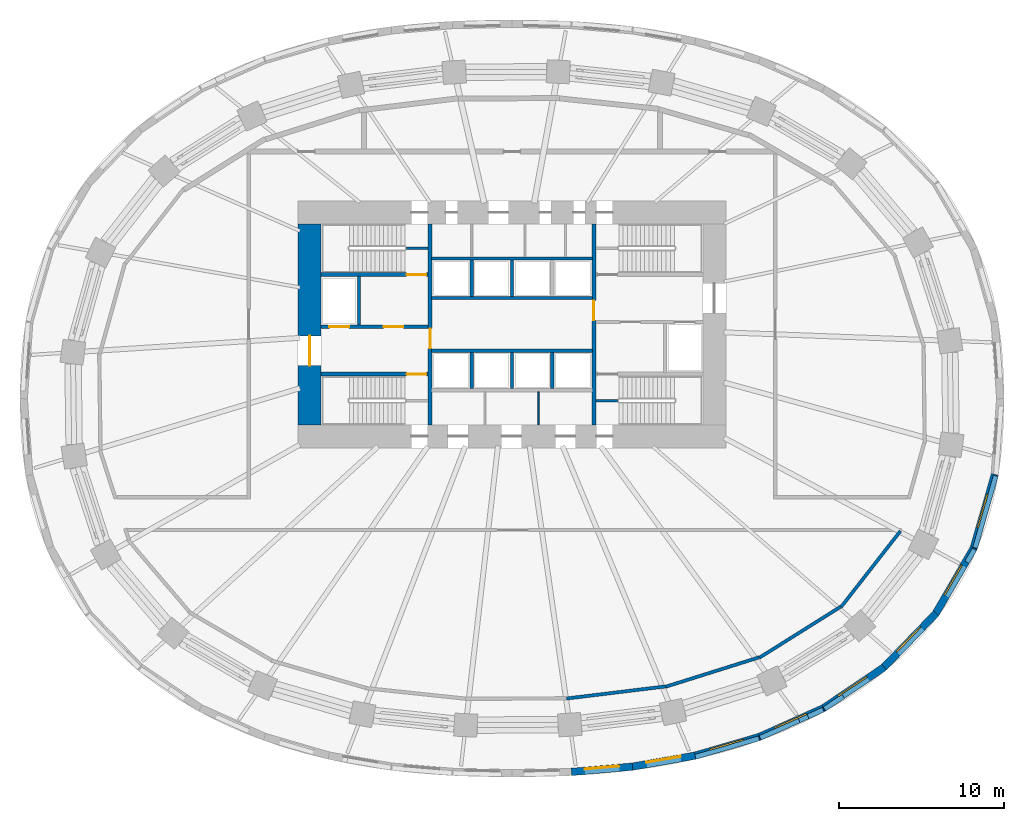
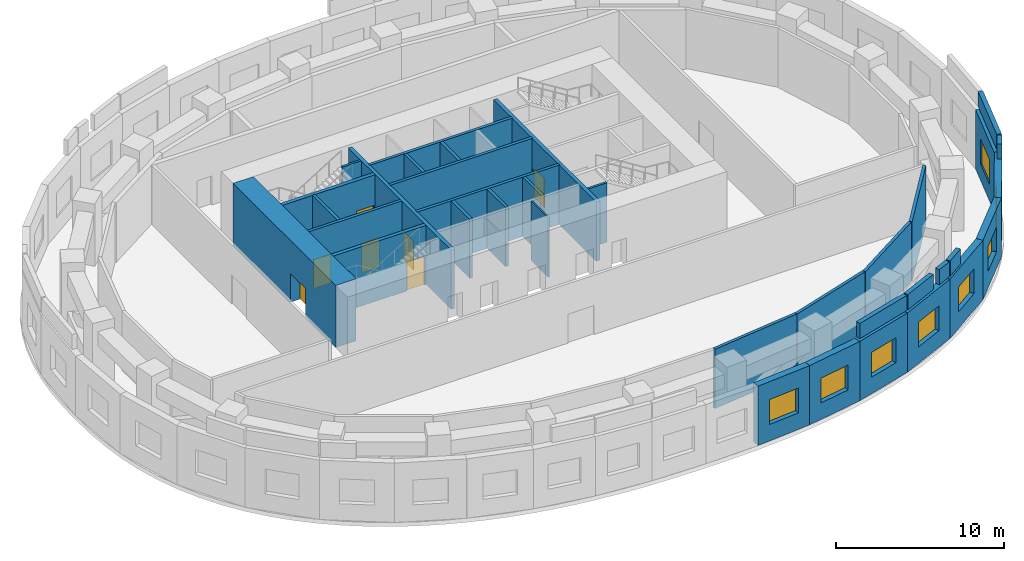
# One storey, part 5 of 9: 36 walls, 8 windows, 7 doors, 15 openings.
"""IFC4 building model written with IfcOpenShell, lengths in metres."""

import ifcopenshell
import ifcopenshell.guid

model = None  # the IFC model being written
_history = None  # IfcOwnerHistory: only IFC2X3 demands one
_inside = {}  # id of a spatial element -> (the spatial element, [elements in it])
_under = {}  # id of a project, library or spatial element -> (it, [spatial elements below it])
_declared = {}  # id of a project -> (the project, [libraries it declares])
_typed = {}  # id of a type object -> (the type object, [elements of that type])
_made_of = {}  # id of a material, layer set ... -> (it, [elements and type objects made of it])


def new_model(schema):
    """Start an empty IFC model of exactly this schema.

    Asked for "IFC4X3", IfcOpenShell would pick the latest addendum, in which some entities
    have other attributes; the version numbers below select the first issue.
    IFC2X3 requires an IfcOwnerHistory on every rooted entity: one is made here for all.
    """
    global model, _history
    if schema == "IFC4X3":
        model = ifcopenshell.file(schema_version=(4, 3, 0, 0))
    else:
        model = ifcopenshell.file(schema=schema)
    _inside.clear()
    _under.clear()
    _declared.clear()
    _typed.clear()
    _made_of.clear()
    _history = None
    if model.schema == "IFC2X3":
        org = make("IfcOrganization", Name="unknown")
        user = make(
            "IfcPersonAndOrganization",
            ThePerson=make("IfcPerson", FamilyName="unknown"),
            TheOrganization=org,
        )
        app = make(
            "IfcApplication",
            ApplicationDeveloper=org,
            Version="unknown",
            ApplicationFullName="unknown",
            ApplicationIdentifier="unknown",
        )
        _history = make(
            "IfcOwnerHistory",
            OwningUser=user,
            OwningApplication=app,
            ChangeAction="ADDED",
            CreationDate=0,
        )
    return model


def make(cls, **values):
    """One entity of the class cls with the attributes given. An attribute that is None is left unset."""
    return model.create_entity(
        cls, **{name: value for name, value in values.items() if value is not None}
    )


def rooted(cls, **values):
    """An entity with a GlobalId (a new one), such as an element, a storey or a relation."""
    return make(cls, GlobalId=ifcopenshell.guid.new(), OwnerHistory=_history, **values)


def si_unit(unit_type, name, prefix=None):
    """IfcSIUnit, for example si_unit("LENGTHUNIT", "METRE", prefix="MILLI")."""
    return make("IfcSIUnit", UnitType=unit_type, Prefix=prefix, Name=name)


def assignment(units):
    """IfcUnitAssignment: the units of a project."""
    return None if units is None else make("IfcUnitAssignment", Units=units)


def point(xyz):
    """IfcCartesianPoint."""
    return None if xyz is None else make("IfcCartesianPoint", Coordinates=xyz)


def direction(xyz):
    """IfcDirection."""
    return None if xyz is None else make("IfcDirection", DirectionRatios=xyz)


def frame(location, z_axis=None, x_axis=None):
    """IfcAxis2Placement3D, a coordinate frame: its origin and axes. An axis left out is left unset."""
    return make(
        "IfcAxis2Placement3D",
        Location=point(location),
        Axis=direction(z_axis),
        RefDirection=direction(x_axis),
    )


def frame_2d(location, x_axis=None):
    """IfcAxis2Placement2D, a coordinate frame in the plane: its origin and x axis."""
    return make(
        "IfcAxis2Placement2D", Location=point(location), RefDirection=direction(x_axis)
    )


def origin():
    """The frame at (0, 0, 0) with its axes left unset."""
    return frame((0.0, 0.0, 0.0))


def place(relative_to, where):
    """IfcLocalPlacement: puts the frame where relative to a parent placement (None: the world)."""
    return make(
        "IfcLocalPlacement", PlacementRelTo=relative_to, RelativePlacement=where
    )


def context(
    kind, dimensions, precision=None, world=None, true_north=None, identifier=None
):
    """IfcGeometricRepresentationContext, for example the 3D "Model" context."""
    return make(
        "IfcGeometricRepresentationContext",
        ContextIdentifier=identifier,
        ContextType=kind,
        CoordinateSpaceDimension=dimensions,
        Precision=precision,
        WorldCoordinateSystem=world,
        TrueNorth=true_north,
    )


def subcontext(parent, identifier, kind, view, scale=None):
    """IfcGeometricRepresentationSubContext, for example "Body" below "Model"."""
    return make(
        "IfcGeometricRepresentationSubContext",
        ContextIdentifier=identifier,
        ContextType=kind,
        ParentContext=parent,
        TargetScale=scale,
        TargetView=view,
    )


def project(units=None, contexts=None):
    """IfcProject with its units and contexts."""
    return rooted(
        "IfcProject",
        Name="project",
        RepresentationContexts=contexts,
        UnitsInContext=assignment(units),
    )


def spatial(cls, under=None, at=None, **own):
    """A site, building, storey or space (cls), placed at a placement, below another one or the project."""
    s = rooted(cls, ObjectPlacement=at, **own)
    if under is not None:
        _under.setdefault(under.id(), (under, []))[1].append(s)
    return s


def profile(cls, at=None, kind="AREA", **sizes):
    """A parametric profile (cls). Its sizes go by their IFC names, for example OverallWidth=200.0."""
    return make(cls, ProfileType=kind, Position=at, **sizes)


def rectangle(**sizes):
    """IfcRectangleProfileDef."""
    return profile("IfcRectangleProfileDef", **sizes)


def extrude(swept, where, along, depth):
    """IfcExtrudedAreaSolid: the profile swept, set in the frame where, extruded along a direction by depth."""
    return make(
        "IfcExtrudedAreaSolid",
        SweptArea=swept,
        Position=where,
        ExtrudedDirection=direction(along),
        Depth=depth,
    )


def shape(context_of_items, identifier, shape_type, items):
    """IfcShapeRepresentation: the items that make up one representation, for example the "Body"."""
    return make(
        "IfcShapeRepresentation",
        ContextOfItems=context_of_items,
        RepresentationIdentifier=identifier,
        RepresentationType=shape_type,
        Items=items,
    )


def material(Name=None, Category=None):
    """IfcMaterial."""
    return make("IfcMaterial", Name=Name, Category=Category)


def layer(
    of_material, thickness, ventilated=None, Name=None, Category=None, Priority=None
):
    """IfcMaterialLayer: one layer of a wall or slab, of a material (None: an air gap)."""
    return make(
        "IfcMaterialLayer",
        Material=of_material,
        LayerThickness=thickness,
        IsVentilated=ventilated,
        Name=Name,
        Category=Category,
        Priority=Priority,
    )


def layer_set(layers, Name=None):
    """IfcMaterialLayerSet."""
    return make("IfcMaterialLayerSet", MaterialLayers=layers, LayerSetName=Name)


def made_of(thing, what):
    """Note that an element or type object is made of a material, layer set ...; save() writes the relation."""
    if what is not None:
        _made_of.setdefault(what.id(), (what, []))[1].append(thing)
    return thing


def type_object(cls, material=None, **own):
    """A type object (cls), such as IfcWallType, which elements share."""
    return made_of(rooted(cls, **own), material)


def element(
    cls,
    number,
    at=None,
    inside=None,
    cuts=None,
    type_object=None,
    material=None,
    context=None,
    identifier="Body",
    shape_type=None,
    held_by="IfcProductDefinitionShape",
    body=None,
    shapes=None,
    **own,
):
    """One element of the class cls, such as IfcWall. Its Tag is "e" and its number.

    at: its placement. inside: the storey or other place that contains it. cuts: it is an
    opening in that element (IfcRelVoidsElement). A single representation is given by context,
    identifier, shape_type and body (its items); several are given by shapes. held_by: the class
    of the entity that holds the representations. save() writes the other relations.
    """
    e = rooted(cls, Tag="e%d" % number, ObjectPlacement=at, **own)
    if body is not None:
        shapes = [shape(context, identifier, shape_type, body)]
    if shapes is not None:
        e.Representation = make(held_by, Representations=shapes)
    if inside is not None:
        _inside.setdefault(inside.id(), (inside, []))[1].append(e)
    if cuts is not None:
        rooted(
            "IfcRelVoidsElement", RelatingBuildingElement=cuts, RelatedOpeningElement=e
        )
    if type_object is not None:
        _typed.setdefault(type_object.id(), (type_object, []))[1].append(e)
    return made_of(e, material)


def fill(opening, filler):
    """IfcRelFillsElement: the door or window that sits in an opening."""
    return rooted(
        "IfcRelFillsElement",
        RelatingOpeningElement=opening,
        RelatedBuildingElement=filler,
    )


def aggregate(whole, parts):
    """IfcRelAggregates: a whole, such as a stair, and the parts it consists of."""
    return rooted("IfcRelAggregates", RelatingObject=whole, RelatedObjects=parts)


def save(model, path):
    """Write the relations noted so far, then the file.

    IfcRelAggregates (storeys below a building ...), IfcRelContainedInSpatialStructure (elements
    in a storey), IfcRelDefinesByType, IfcRelAssociatesMaterial and IfcRelDeclares: one each for
    every whole, place, type object, material and project.
    """
    for whole, parts in _under.values():
        aggregate(whole, parts)
    for where, things in _inside.values():
        rooted(
            "IfcRelContainedInSpatialStructure",
            RelatedElements=things,
            RelatingStructure=where,
        )
    for kind, things in _typed.values():
        rooted("IfcRelDefinesByType", RelatedObjects=things, RelatingType=kind)
    for what, things in _made_of.values():
        rooted("IfcRelAssociatesMaterial", RelatedObjects=things, RelatingMaterial=what)
    for by, libraries in _declared.values():
        rooted("IfcRelDeclares", RelatingContext=by, RelatedDefinitions=libraries)
    model.write(path)


model = new_model("IFC4")

# Units and contexts
model_context = context("Model", 3, precision=1e-05, world=origin(), true_north=direction((0.0, 1.0)))
body_context = subcontext(model_context, "Body", "Model", "MODEL_VIEW")
ifc_project = project(units=[si_unit("LENGTHUNIT", "METRE"), si_unit("AREAUNIT", "SQUARE_METRE"), si_unit("VOLUMEUNIT", "CUBIC_METRE"), si_unit("PLANEANGLEUNIT", "RADIAN"), si_unit("MASSUNIT", "GRAM", prefix="KILO")], contexts=[model_context])

# Site, building, storey
site_placement = place(None, origin())
site = spatial("IfcSite", under=ifc_project, at=site_placement, CompositionType="ELEMENT")
building_placement = place(site_placement, origin())
building = spatial("IfcBuilding", under=site, at=building_placement, Name="Rubra Terraces Tower", CompositionType="ELEMENT")
storey_placement = place(building_placement, frame((0.0, 0.0, 33.0)))
storey = spatial("IfcBuildingStorey", under=building, at=storey_placement, Name="L05", CompositionType="ELEMENT", Elevation=33.0)

# Wall, opening, window
ifc_material_1 = material(Name="Brick masonry red-brown", Category="masonry")
ifc_layer_1 = layer(ifc_material_1, 0.449951171875)
ifc_layer_set_1 = layer_set([ifc_layer_1], Name="Brick masonry red-brown")
wall_type_1 = type_object("IfcWallType", Name="Brick facade wall 450", PredefinedType="SOLIDWALL", material=ifc_layer_set_1)
wall_1_placement = place(storey_placement, frame((3.610595703125, -22.69775390625, 0.0), z_axis=(0.0, 0.0, 1.0), x_axis=(0.996259982326, 0.086406293838, 0.0)))
wall_1 = element("IfcWall", 1, at=wall_1_placement, inside=storey, type_object=wall_type_1, Name="Facade wall L05 bay 32", PredefinedType="SOLIDWALL", context=body_context, shape_type="SweptSolid", body=[
    extrude(rectangle(XDim=3.726806640625, YDim=0.449951171875, at=frame_2d((1.86328125, 0.0))), origin(), (0.0, 0.0, 1.0), 4.300048828125),
])
opening_1_placement = place(wall_1_placement, frame((0.8134765625, 0.0, 1.199951171875)))
opening_1 = element("IfcOpeningElement", 2, at=opening_1_placement, cuts=wall_1, Name="Opening W4", PredefinedType="OPENING", context=body_context, shape_type="SweptSolid", body=[
    extrude(rectangle(XDim=2.10009765625, YDim=1.800048828125, at=frame_2d((1.050048828125, 0.89990234375))), frame((0.0, 0.23486328125, 0.0), z_axis=(0.0, -1.0, 0.0), x_axis=(1.0, 0.0, 0.0)), (0.0, 0.0, 1.0), 0.469970703125),
])
ifc_material_2 = material(Name="Clear glass in aluminium frame", Category="aluminium")
window_type = type_object("IfcWindowType", Name="Louvred plant window 2100 x 1800", PartitioningType="SINGLE_PANEL", PredefinedType="WINDOW", material=ifc_material_2)
window_1_placement = place(opening_1_placement, origin())
window_1 = element("IfcWindow", 3, at=window_1_placement, inside=storey, type_object=window_type, Name="Window L05 bay 32", OverallHeight=1.800048828125, OverallWidth=2.10009765625, PartitioningType="SINGLE_PANEL", PredefinedType="WINDOW", context=body_context, shape_type="SweptSolid", body=[
    extrude(rectangle(XDim=2.10009765625, YDim=1.800048828125, at=frame_2d((1.050048828125, 0.89990234375))), frame((0.0, 0.135009765625, 0.0), z_axis=(0.0, -1.0, 0.0), x_axis=(1.0, 0.0, 0.0)), (0.0, 0.0, 1.0), 0.06005859375),
])
fill(opening_1, window_1)

wall_2_placement = place(storey_placement, frame((7.30419921875, -22.37841796875, 0.0), z_axis=(0.0, 0.0, 1.0), x_axis=(0.984947461591, 0.172853978566, 0.0)))
wall_2 = element("IfcWall", 4, at=wall_2_placement, inside=storey, type_object=wall_type_1, Name="Facade wall L05 bay 33", PredefinedType="SOLIDWALL", context=body_context, shape_type="SweptSolid", body=[
    extrude(rectangle(XDim=3.888427734375, YDim=0.449951171875, at=frame_2d((1.9443359375, 0.0))), origin(), (0.0, 0.0, 1.0), 4.300048828125),
])
opening_2_placement = place(wall_2_placement, frame((0.894287109375, 0.0, 1.199951171875)))
opening_2 = element("IfcOpeningElement", 5, at=opening_2_placement, cuts=wall_2, Name="Opening W4", PredefinedType="OPENING", context=body_context, shape_type="SweptSolid", body=[
    extrude(rectangle(XDim=2.10009765625, YDim=1.800048828125, at=frame_2d((1.050048828125, 0.89990234375))), frame((0.0, 0.23486328125, 0.0), z_axis=(0.0, -1.0, 0.0), x_axis=(1.0, 0.0, 0.0)), (0.0, 0.0, 1.0), 0.469970703125),
])
window_2_placement = place(opening_2_placement, origin())
window_2 = element("IfcWindow", 6, at=window_2_placement, inside=storey, type_object=window_type, Name="Window L05 bay 33", OverallHeight=1.800048828125, OverallWidth=2.10009765625, PartitioningType="SINGLE_PANEL", PredefinedType="WINDOW", context=body_context, shape_type="SweptSolid", body=[
    extrude(rectangle(XDim=2.10009765625, YDim=1.800048828125, at=frame_2d((1.050048828125, 0.89990234375))), frame((0.0, 0.135009765625, 0.0), z_axis=(0.0, -1.0, 0.0), x_axis=(1.0, 0.0, 0.0)), (0.0, 0.0, 1.0), 0.06005859375),
])
fill(opening_2, window_2)

wall_3_placement = place(storey_placement, frame((11.110107421875, -21.7119140625, 0.0), z_axis=(0.0, 0.0, 1.0), x_axis=(0.960186274122, 0.279360553743, 0.0)))
wall_3 = element("IfcWall", 7, at=wall_3_placement, inside=storey, type_object=wall_type_1, Name="Facade wall L05 bay 34", PredefinedType="SOLIDWALL", context=body_context, shape_type="SweptSolid", body=[
    extrude(rectangle(XDim=4.0908203125, YDim=0.449951171875, at=frame_2d((2.04541015625, 0.0))), origin(), (0.0, 0.0, 1.0), 4.300048828125),
])
opening_3_placement = place(wall_3_placement, frame((0.99560546875, 0.0, 1.199951171875)))
opening_3 = element("IfcOpeningElement", 8, at=opening_3_placement, cuts=wall_3, Name="Opening W4", PredefinedType="OPENING", context=body_context, shape_type="SweptSolid", body=[
    extrude(rectangle(XDim=2.10009765625, YDim=1.800048828125, at=frame_2d((1.050048828125, 0.89990234375))), frame((0.0, 0.23486328125, 0.0), z_axis=(0.0, -1.0, 0.0), x_axis=(1.0, 0.0, 0.0)), (0.0, 0.0, 1.0), 0.469970703125),
])
window_3_placement = place(opening_3_placement, origin())
window_3 = element("IfcWindow", 9, at=window_3_placement, inside=storey, type_object=window_type, Name="Window L05 bay 34", OverallHeight=1.800048828125, OverallWidth=2.10009765625, PartitioningType="SINGLE_PANEL", PredefinedType="WINDOW", context=body_context, shape_type="SweptSolid", body=[
    extrude(rectangle(XDim=2.10009765625, YDim=1.800048828125, at=frame_2d((1.050048828125, 0.89990234375))), frame((0.0, 0.135009765625, 0.0), z_axis=(0.0, -1.0, 0.0), x_axis=(1.0, 0.0, 0.0)), (0.0, 0.0, 1.0), 0.06005859375),
])
fill(opening_3, window_3)

wall_4_placement = place(storey_placement, frame((15.009033203125, -20.57958984375, 0.0), z_axis=(0.0, 0.0, 1.0), x_axis=(0.912571415594, 0.408917365052, 0.0)))
wall_4 = element("IfcWall", 10, at=wall_4_placement, inside=storey, type_object=wall_type_1, Name="Facade wall L05 bay 35", PredefinedType="SOLIDWALL", context=body_context, shape_type="SweptSolid", body=[
    extrude(rectangle(XDim=4.301025390625, YDim=0.449951171875, at=frame_2d((2.150390625, 0.0))), origin(), (0.0, 0.0, 1.0), 4.300048828125),
])
opening_4_placement = place(wall_4_placement, frame((1.1005859375, 0.0, 1.199951171875)))
opening_4 = element("IfcOpeningElement", 11, at=opening_4_placement, cuts=wall_4, Name="Opening W4", PredefinedType="OPENING", context=body_context, shape_type="SweptSolid", body=[
    extrude(rectangle(XDim=2.10009765625, YDim=1.800048828125, at=frame_2d((1.050048828125, 0.89990234375))), frame((0.0, 0.23486328125, 0.0), z_axis=(0.0, -1.0, 0.0), x_axis=(1.0, 0.0, 0.0)), (0.0, 0.0, 1.0), 0.469970703125),
])
window_4_placement = place(opening_4_placement, origin())
window_4 = element("IfcWindow", 12, at=window_4_placement, inside=storey, type_object=window_type, Name="Window L05 bay 35", OverallHeight=1.800048828125, OverallWidth=2.10009765625, PartitioningType="SINGLE_PANEL", PredefinedType="WINDOW", context=body_context, shape_type="SweptSolid", body=[
    extrude(rectangle(XDim=2.10009765625, YDim=1.800048828125, at=frame_2d((1.050048828125, 0.89990234375))), frame((0.0, 0.135009765625, 0.0), z_axis=(0.0, -1.0, 0.0), x_axis=(1.0, 0.0, 0.0)), (0.0, 0.0, 1.0), 0.06005859375),
])
fill(opening_4, window_4)

wall_5_placement = place(storey_placement, frame((18.900146484375, -18.839599609375, 0.0), z_axis=(0.0, 0.0, 1.0), x_axis=(0.828976924359, 0.559282807604, 0.0)))
wall_5 = element("IfcWall", 13, at=wall_5_placement, inside=storey, type_object=wall_type_1, Name="Facade wall L05 bay 36", PredefinedType="SOLIDWALL", context=body_context, shape_type="SweptSolid", body=[
    extrude(rectangle(XDim=4.479248046875, YDim=0.449951171875, at=frame_2d((2.23974609375, 0.0))), origin(), (0.0, 0.0, 1.0), 4.300048828125),
])
opening_5_placement = place(wall_5_placement, frame((1.189453125, 0.0, 1.199951171875)))
opening_5 = element("IfcOpeningElement", 14, at=opening_5_placement, cuts=wall_5, Name="Opening W4", PredefinedType="OPENING", context=body_context, shape_type="SweptSolid", body=[
    extrude(rectangle(XDim=2.10009765625, YDim=1.800048828125, at=frame_2d((1.050048828125, 0.89990234375))), frame((0.0, 0.23486328125, 0.0), z_axis=(0.0, -1.0, 0.0), x_axis=(1.0, 0.0, 0.0)), (0.0, 0.0, 1.0), 0.469970703125),
])
window_5_placement = place(opening_5_placement, origin())
window_5 = element("IfcWindow", 15, at=window_5_placement, inside=storey, type_object=window_type, Name="Window L05 bay 36", OverallHeight=1.800048828125, OverallWidth=2.10009765625, PartitioningType="SINGLE_PANEL", PredefinedType="WINDOW", context=body_context, shape_type="SweptSolid", body=[
    extrude(rectangle(XDim=2.10009765625, YDim=1.800048828125, at=frame_2d((1.050048828125, 0.89990234375))), frame((0.0, 0.135009765625, 0.0), z_axis=(0.0, -1.0, 0.0), x_axis=(1.0, 0.0, 0.0)), (0.0, 0.0, 1.0), 0.06005859375),
])
fill(opening_5, window_5)

wall_6_placement = place(storey_placement, frame((22.576904296875, -16.36474609375, 0.0), z_axis=(0.0, 0.0, 1.0), x_axis=(0.694191591241, 0.719790271294, 0.0)))
wall_6 = element("IfcWall", 16, at=wall_6_placement, inside=storey, type_object=wall_type_1, Name="Facade wall L05 bay 37", PredefinedType="SOLIDWALL", context=body_context, shape_type="SweptSolid", body=[
    extrude(rectangle(XDim=4.596923828125, YDim=0.449951171875, at=frame_2d((2.29833984375, 0.0))), origin(), (0.0, 0.0, 1.0), 4.300048828125),
])
opening_6_placement = place(wall_6_placement, frame((1.24853515625, 0.0, 1.199951171875)))
opening_6 = element("IfcOpeningElement", 17, at=opening_6_placement, cuts=wall_6, Name="Opening W4", PredefinedType="OPENING", context=body_context, shape_type="SweptSolid", body=[
    extrude(rectangle(XDim=2.10009765625, YDim=1.800048828125, at=frame_2d((1.050048828125, 0.89990234375))), frame((0.0, 0.23486328125, 0.0), z_axis=(0.0, -1.0, 0.0), x_axis=(1.0, 0.0, 0.0)), (0.0, 0.0, 1.0), 0.469970703125),
])
window_6_placement = place(opening_6_placement, origin())
window_6 = element("IfcWindow", 18, at=window_6_placement, inside=storey, type_object=window_type, Name="Window L05 bay 37", OverallHeight=1.800048828125, OverallWidth=2.10009765625, PartitioningType="SINGLE_PANEL", PredefinedType="WINDOW", context=body_context, shape_type="SweptSolid", body=[
    extrude(rectangle(XDim=2.10009765625, YDim=1.800048828125, at=frame_2d((1.050048828125, 0.89990234375))), frame((0.0, 0.135009765625, 0.0), z_axis=(0.0, -1.0, 0.0), x_axis=(1.0, 0.0, 0.0)), (0.0, 0.0, 1.0), 0.06005859375),
])
fill(opening_6, window_6)

wall_7_placement = place(storey_placement, frame((25.7353515625, -13.09912109375, 0.0), z_axis=(0.0, 0.0, 1.0), x_axis=(0.502106426501, 0.864805837438, 0.0)))
wall_7 = element("IfcWall", 19, at=wall_7_placement, inside=storey, type_object=wall_type_1, Name="Facade wall L05 bay 38", PredefinedType="SOLIDWALL", context=body_context, shape_type="SweptSolid", body=[
    extrude(rectangle(XDim=4.65673828125, YDim=0.449951171875, at=frame_2d((2.328369140625, 0.0))), origin(), (0.0, 0.0, 1.0), 4.300048828125),
])
opening_7_placement = place(wall_7_placement, frame((1.2783203125, 0.0, 1.199951171875)))
opening_7 = element("IfcOpeningElement", 20, at=opening_7_placement, cuts=wall_7, Name="Opening W4", PredefinedType="OPENING", context=body_context, shape_type="SweptSolid", body=[
    extrude(rectangle(XDim=2.10009765625, YDim=1.800048828125, at=frame_2d((1.050048828125, 0.89990234375))), frame((0.0, 0.23486328125, 0.0), z_axis=(0.0, -1.0, 0.0), x_axis=(1.0, 0.0, 0.0)), (0.0, 0.0, 1.0), 0.469970703125),
])
window_7_placement = place(opening_7_placement, origin())
window_7 = element("IfcWindow", 21, at=window_7_placement, inside=storey, type_object=window_type, Name="Window L05 bay 38", OverallHeight=1.800048828125, OverallWidth=2.10009765625, PartitioningType="SINGLE_PANEL", PredefinedType="WINDOW", context=body_context, shape_type="SweptSolid", body=[
    extrude(rectangle(XDim=2.10009765625, YDim=1.800048828125, at=frame_2d((1.050048828125, 0.89990234375))), frame((0.0, 0.135009765625, 0.0), z_axis=(0.0, -1.0, 0.0), x_axis=(1.0, 0.0, 0.0)), (0.0, 0.0, 1.0), 0.06005859375),
])
fill(opening_7, window_7)

wall_8_placement = place(storey_placement, frame((28.0517578125, -9.122802734375, 0.0), z_axis=(0.0, 0.0, 1.0), x_axis=(0.27637239746, 0.961050621935, 0.0)))
wall_8 = element("IfcWall", 22, at=wall_8_placement, inside=storey, type_object=wall_type_1, Name="Facade wall L05 bay 39", PredefinedType="SOLIDWALL", context=body_context, shape_type="SweptSolid", body=[
    extrude(rectangle(XDim=4.685302734375, YDim=0.449951171875, at=frame_2d((2.3427734375, 0.0))), origin(), (0.0, 0.0, 1.0), 4.300048828125),
])
opening_8_placement = place(wall_8_placement, frame((1.292724609375, 0.0, 1.199951171875)))
opening_8 = element("IfcOpeningElement", 23, at=opening_8_placement, cuts=wall_8, Name="Opening W4", PredefinedType="OPENING", context=body_context, shape_type="SweptSolid", body=[
    extrude(rectangle(XDim=2.10009765625, YDim=1.800048828125, at=frame_2d((1.050048828125, 0.89990234375))), frame((0.0, 0.23486328125, 0.0), z_axis=(0.0, -1.0, 0.0), x_axis=(1.0, 0.0, 0.0)), (0.0, 0.0, 1.0), 0.469970703125),
])
window_8_placement = place(opening_8_placement, origin())
window_8 = element("IfcWindow", 24, at=window_8_placement, inside=storey, type_object=window_type, Name="Window L05 bay 39", OverallHeight=1.800048828125, OverallWidth=2.10009765625, PartitioningType="SINGLE_PANEL", PredefinedType="WINDOW", context=body_context, shape_type="SweptSolid", body=[
    extrude(rectangle(XDim=2.10009765625, YDim=1.800048828125, at=frame_2d((1.050048828125, 0.89990234375))), frame((0.0, 0.135009765625, 0.0), z_axis=(0.0, -1.0, 0.0), x_axis=(1.0, 0.0, 0.0)), (0.0, 0.0, 1.0), 0.06005859375),
])
fill(opening_8, window_8)

# Walls
ifc_layer_2 = layer(ifc_material_1, 0.300048828125)
ifc_layer_set_2 = layer_set([ifc_layer_2], Name="Brick masonry red-brown")
wall_type_2 = type_object("IfcWallType", Name="Brick parapet 300", PredefinedType="PARAPET", material=ifc_layer_set_2)
wall_9_placement = place(storey_placement, frame((11.142333984375, -21.78076171875, 4.5), z_axis=(0.0, 0.0, 1.0), x_axis=(0.960176970579, 0.279392528837, 0.0)))
element("IfcWall", 25, at=wall_9_placement, inside=storey, type_object=wall_type_2, Name="Parapet L05 bay 34", PredefinedType="PARAPET", context=body_context, shape_type="SweptSolid", body=[
    extrude(rectangle(XDim=4.0283203125, YDim=0.300048828125, at=frame_2d((2.01416015625, 0.0))), origin(), (0.0, 0.0, 1.0), 1.10009765625),
])
wall_10_placement = place(storey_placement, frame((15.0859375, -20.62744140625, 4.5), z_axis=(0.0, 0.0, 1.0), x_axis=(0.912551779841, 0.408961182889, 0.0)))
element("IfcWall", 26, at=wall_10_placement, inside=storey, type_object=wall_type_2, Name="Parapet L05 bay 35", PredefinedType="PARAPET", context=body_context, shape_type="SweptSolid", body=[
    extrude(rectangle(XDim=2.59033203125, YDim=0.300048828125, at=frame_2d((1.295166015625, 0.0))), origin(), (0.0, 0.0, 1.0), 1.10009765625),
])
wall_11_placement = place(storey_placement, frame((17.994140625, -19.32421875, 4.5), z_axis=(0.0, 0.0, 1.0), x_axis=(0.912568559093, 0.408923739779, 0.0)))
element("IfcWall", 27, at=wall_11_placement, inside=storey, type_object=wall_type_2, Name="Parapet L05 bay 35.2", PredefinedType="PARAPET", context=body_context, shape_type="SweptSolid", body=[
    extrude(rectangle(XDim=1.0078125, YDim=0.300048828125, at=frame_2d((0.50390625, 0.0))), origin(), (0.0, 0.0, 1.0), 1.10009765625),
])
wall_12_placement = place(storey_placement, frame((18.988525390625, -18.870361328125, 4.5), z_axis=(0.0, 0.0, 1.0), x_axis=(0.828947562887, 0.55932632513, 0.0)))
element("IfcWall", 28, at=wall_12_placement, inside=storey, type_object=wall_type_2, Name="Parapet L05 bay 36", PredefinedType="PARAPET", context=body_context, shape_type="SweptSolid", body=[
    extrude(rectangle(XDim=1.37353515625, YDim=0.300048828125, at=frame_2d((0.686767578125, 0.0))), origin(), (0.0, 0.0, 1.0), 1.10009765625),
])
wall_13_placement = place(storey_placement, frame((27.64599609375, -9.95751953125, 4.5), z_axis=(0.0, 0.0, 1.0), x_axis=(0.502058122992, 0.86483388066, 0.0)))
element("IfcWall", 29, at=wall_13_placement, inside=storey, type_object=wall_type_2, Name="Parapet L05 bay 38", PredefinedType="PARAPET", context=body_context, shape_type="SweptSolid", body=[
    extrude(rectangle(XDim=0.913330078125, YDim=0.300048828125, at=frame_2d((0.45654296875, 0.0))), origin(), (0.0, 0.0, 1.0), 1.10009765625),
])
wall_14_placement = place(storey_placement, frame((28.142333984375, -9.0791015625, 4.5), z_axis=(0.0, 0.0, 1.0), x_axis=(0.276383504123, 0.961047427887, 0.0)))
element("IfcWall", 30, at=wall_14_placement, inside=storey, type_object=wall_type_2, Name="Parapet L05 bay 39", PredefinedType="PARAPET", context=body_context, shape_type="SweptSolid", body=[
    extrude(rectangle(XDim=4.55712890625, YDim=0.300048828125, at=frame_2d((2.278564453125, 0.0))), origin(), (0.0, 0.0, 1.0), 1.10009765625),
])

# Wall, opening, door
ifc_material_3 = material(Name="Concrete C70", Category="concrete")
ifc_layer_3 = layer(ifc_material_3, 1.39990234375)
ifc_layer_set_3 = layer_set([ifc_layer_3], Name="Concrete C70")
wall_type_3 = type_object("IfcWallType", Name="CORE WALL 1400 C70", PredefinedType="SHEAR", material=ifc_layer_set_3)
wall_15_placement = place(storey_placement, frame((-12.300048828125, -1.60009765625, 0.0), z_axis=(0.0, 0.0, 1.0), x_axis=(0.0, 1.0, 0.0)))
wall_15 = element("IfcWall", 31, at=wall_15_placement, inside=storey, type_object=wall_type_3, Name="CORE WALL W L05", PredefinedType="SHEAR", context=body_context, shape_type="SweptSolid", body=[
    extrude(rectangle(XDim=12.2001953125, YDim=1.39990234375, at=frame_2d((6.10009765625, 0.0))), origin(), (0.0, 0.0, 1.0), 4.5),
])
opening_9_placement = place(wall_15_placement, frame((3.60009765625, 0.0, 0.0)))
opening_9 = element("IfcOpeningElement", 32, at=opening_9_placement, cuts=wall_15, Name="Opening L05.C01", PredefinedType="OPENING", context=body_context, shape_type="SweptSolid", body=[
    extrude(rectangle(XDim=1.800048828125, YDim=2.10009765625, at=frame_2d((0.89990234375, 1.050048828125))), frame((0.0, 0.7099609375, 0.0), z_axis=(0.0, -1.0, 0.0), x_axis=(1.0, 0.0, 0.0)), (0.0, 0.0, 1.0), 1.419921875),
])
ifc_material_4 = material(Name="Painted steel", Category="steel")
door_type_1 = type_object("IfcDoorType", Name="Fire door 1800x2100 double", OperationType="NOTDEFINED", PredefinedType="DOOR", material=ifc_material_4)
door_1_placement = place(opening_9_placement, origin())
door_1 = element("IfcDoor", 33, at=door_1_placement, inside=storey, type_object=door_type_1, Name="Core entrance door FF1", OperationType="DOUBLE_DOOR_SINGLE_SWING", OverallHeight=2.10009765625, OverallWidth=1.800048828125, PredefinedType="DOOR", context=body_context, shape_type="SweptSolid", body=[
    extrude(rectangle(XDim=1.800048828125, YDim=2.10009765625, at=frame_2d((0.89990234375, 1.050048828125))), frame((0.0, 0.02490234375, 0.0), z_axis=(0.0, -1.0, 0.0), x_axis=(1.0, 0.0, 0.0)), (0.0, 0.0, 1.0), 0.050048828125),
])
fill(opening_9, door_1)

# Wall, openings, doors
ifc_material_5 = material(Name="Concrete C30", Category="concrete")
ifc_layer_4 = layer(ifc_material_5, 0.199951171875)
ifc_layer_set_4 = layer_set([ifc_layer_4], Name="Concrete C30")
wall_type_4 = type_object("IfcWallType", Name="Core wall 200 concrete", PredefinedType="SOLIDWALL", material=ifc_layer_set_4)
wall_16_placement = place(storey_placement, frame((-11.60009765625, 4.35009765625, 0.0), z_axis=(0.0, 0.0, 1.0), x_axis=(1.0, 0.0, 0.0)))
wall_16 = element("IfcWall", 34, at=wall_16_placement, inside=storey, type_object=wall_type_4, Name="STAIR WALL L05", PredefinedType="SOLIDWALL", context=body_context, shape_type="SweptSolid", body=[
    extrude(rectangle(XDim=6.5, YDim=0.199951171875, at=frame_2d((3.25, 0.0))), origin(), (0.0, 0.0, 1.0), 4.300048828125),
])
opening_10_placement = place(wall_16_placement, frame((3.800048828125, 0.0, 0.0)))
opening_10 = element("IfcOpeningElement", 35, at=opening_10_placement, cuts=wall_16, Name="Opening L05.C05", PredefinedType="OPENING", context=body_context, shape_type="SweptSolid", body=[
    extrude(rectangle(XDim=1.199951171875, YDim=2.10009765625, at=frame_2d((0.60009765625, 1.050048828125))), frame((0.0, 0.10986328125, 0.0), z_axis=(0.0, -1.0, 0.0), x_axis=(1.0, 0.0, 0.0)), (0.0, 0.0, 1.0), 0.219970703125),
])
opening_11_placement = place(wall_16_placement, frame((0.5, 0.0, 0.0)))
opening_11 = element("IfcOpeningElement", 36, at=opening_11_placement, cuts=wall_16, Name="Opening L05.C11", PredefinedType="OPENING", context=body_context, shape_type="SweptSolid", body=[
    extrude(rectangle(XDim=1.199951171875, YDim=2.10009765625, at=frame_2d((0.60009765625, 1.050048828125))), frame((0.0, 0.10986328125, 0.0), z_axis=(0.0, -1.0, 0.0), x_axis=(1.0, 0.0, 0.0)), (0.0, 0.0, 1.0), 0.219970703125),
])
door_type_2 = type_object("IfcDoorType", Name="Fire door 1200x2100 single", OperationType="NOTDEFINED", PredefinedType="DOOR", material=ifc_material_4)
door_2_placement = place(opening_10_placement, origin())
door_2 = element("IfcDoor", 37, at=door_2_placement, inside=storey, type_object=door_type_2, Name="Stair vestibule door S2", OperationType="SINGLE_SWING_LEFT", OverallHeight=2.10009765625, OverallWidth=1.199951171875, PredefinedType="DOOR", context=body_context, shape_type="SweptSolid", body=[
    extrude(rectangle(XDim=1.199951171875, YDim=2.10009765625, at=frame_2d((0.60009765625, 1.050048828125))), frame((0.0, 0.02490234375, 0.0), z_axis=(0.0, -1.0, 0.0), x_axis=(1.0, 0.0, 0.0)), (0.0, 0.0, 1.0), 0.050048828125),
])
fill(opening_10, door_2)
ifc_material_6 = material(Name="Stainless steel", Category="steel")
door_type_3 = type_object("IfcDoorType", Name="Lift landing door 1200x2100", OperationType="NOTDEFINED", PredefinedType="DOOR", material=ifc_material_6)
door_3_placement = place(opening_11_placement, origin())
door_3 = element("IfcDoor", 38, at=door_3_placement, inside=storey, type_object=door_type_3, Name="Landing door FF1", OperationType="SLIDING_TO_RIGHT", OverallHeight=2.10009765625, OverallWidth=1.199951171875, PredefinedType="DOOR", context=body_context, shape_type="SweptSolid", body=[
    extrude(rectangle(XDim=1.199951171875, YDim=2.10009765625, at=frame_2d((0.60009765625, 1.050048828125))), frame((0.0, 0.02490234375, 0.0), z_axis=(0.0, -1.0, 0.0), x_axis=(1.0, 0.0, 0.0)), (0.0, 0.0, 1.0), 0.050048828125),
])
fill(opening_11, door_3)

# Walls
wall_17_placement = place(storey_placement, frame((-9.300048828125, 4.449951171875, 0.0), z_axis=(0.0, 0.0, 1.0), x_axis=(0.0, 1.0, 0.0)))
element("IfcWall", 39, at=wall_17_placement, inside=storey, type_object=wall_type_4, Name="STAIR WALL L05", PredefinedType="SOLIDWALL", context=body_context, shape_type="SweptSolid", body=[
    extrude(rectangle(XDim=3.0, YDim=0.199951171875, at=frame_2d((1.5, 0.0))), origin(), (0.0, 0.0, 1.0), 4.300048828125),
])
for number, where, z_axis, x_axis, name in (
    (40, (-4.89990234375, 2.89990234375, 0.0), (0.0, 0.0, 1.0), (1.0, 0.0, 0.0), "LIFT SHAFT WALL L05"),
    (41, (-4.89990234375, 6.10009765625, 0.0), (0.0, 0.0, 1.0), (1.0, 0.0, 0.0), "LIFT SHAFT WALL L05"),
    (42, (-4.89990234375, 8.5, 0.0), (0.0, 0.0, 1.0), (1.0, 0.0, 0.0), "LIFT SHAFT WALL L05"),
):
    element("IfcWall", number, at=place(storey_placement, frame(where, z_axis=z_axis, x_axis=x_axis)), inside=storey, type_object=wall_type_4, Name=name, PredefinedType="SOLIDWALL", context=body_context, shape_type="SweptSolid", body=[
        extrude(rectangle(XDim=9.7998046875, YDim=0.199951171875, at=frame_2d((4.89990234375, 0.0))), origin(), (0.0, 0.0, 1.0), 4.300048828125),
    ])
for number, where, z_axis, x_axis, name in (
    (43, (-2.449951171875, 0.60009765625, 0.0), (0.0, 0.0, 1.0), (0.0, 1.0, 0.0), "LIFT SHAFT WALL L05"),
    (44, (0.0, 0.60009765625, 0.0), (0.0, 0.0, 1.0), (0.0, 1.0, 0.0), "LIFT SHAFT WALL L05"),
    (45, (2.449951171875, 0.60009765625, 0.0), (0.0, 0.0, 1.0), (0.0, 1.0, 0.0), "LIFT SHAFT WALL L05"),
    (46, (-2.449951171875, 6.199951171875, 0.0), (0.0, 0.0, 1.0), (0.0, 1.0, 0.0), "LIFT SHAFT WALL L05"),
    (47, (0.0, 6.199951171875, 0.0), (0.0, 0.0, 1.0), (0.0, 1.0, 0.0), "LIFT SHAFT WALL L05"),
):
    element("IfcWall", number, at=place(storey_placement, frame(where, z_axis=z_axis, x_axis=x_axis)), inside=storey, type_object=wall_type_4, Name=name, PredefinedType="SOLIDWALL", context=body_context, shape_type="SweptSolid", body=[
        extrude(rectangle(XDim=2.199951171875, YDim=0.199951171875, at=frame_2d((1.10009765625, 0.0))), origin(), (0.0, 0.0, 1.0), 4.300048828125),
    ])
ifc_material_7 = material(Name="Blockwork", Category="masonry")
ifc_layer_5 = layer(ifc_material_7, 0.199951171875)
ifc_layer_set_5 = layer_set([ifc_layer_5], Name="Blockwork")
wall_type_5 = type_object("IfcWallType", Name="Corridor partition 200 blockwork", PredefinedType="PARTITIONING", material=ifc_layer_set_5)
wall_18_placement = place(storey_placement, frame((23.60791015625, -8.052978515625, 0.0), z_axis=(0.0, 0.0, 1.0), x_axis=(-0.615662559853, -0.78800990628, 0.0)))
element("IfcWall", 48, at=wall_18_placement, inside=storey, type_object=wall_type_5, Name="Partition wall", PredefinedType="PARTITIONING", context=body_context, shape_type="SweptSolid", body=[
    extrude(rectangle(XDim=5.88427734375, YDim=0.199951171875, at=frame_2d((2.942138671875, 0.0))), origin(), (0.0, 0.0, 1.0), 4.300048828125),
])
wall_19_placement = place(storey_placement, frame((19.9619140625, -12.6640625, 0.0), z_axis=(0.0, 0.0, 1.0), x_axis=(-0.847109868331, -0.531417793243, 0.0)))
element("IfcWall", 49, at=wall_19_placement, inside=storey, type_object=wall_type_5, Name="Partition wall", PredefinedType="PARTITIONING", context=body_context, shape_type="SweptSolid", body=[
    extrude(rectangle(XDim=5.8125, YDim=0.199951171875, at=frame_2d((2.90625, 0.0))), origin(), (0.0, 0.0, 1.0), 4.300048828125),
])
wall_20_placement = place(storey_placement, frame((15.028076171875, -15.72998046875, 0.0), z_axis=(0.0, 0.0, 1.0), x_axis=(-0.953899230101, -0.300127071108, 0.0)))
element("IfcWall", 50, at=wall_20_placement, inside=storey, type_object=wall_type_5, Name="Partition wall", PredefinedType="PARTITIONING", context=body_context, shape_type="SweptSolid", body=[
    extrude(rectangle(XDim=5.957763671875, YDim=0.199951171875, at=frame_2d((2.97900390625, 0.0))), origin(), (0.0, 0.0, 1.0), 4.300048828125),
])
wall_21_placement = place(storey_placement, frame((9.341064453125, -17.5, 0.0), z_axis=(0.0, 0.0, 1.0), x_axis=(-0.992636454539, -0.121131618992, 0.0)))
element("IfcWall", 51, at=wall_21_placement, inside=storey, type_object=wall_type_5, Name="Partition wall", PredefinedType="PARTITIONING", context=body_context, shape_type="SweptSolid", body=[
    extrude(rectangle(XDim=6.07666015625, YDim=0.199951171875, at=frame_2d((3.038330078125, 0.0))), origin(), (0.0, 0.0, 1.0), 4.300048828125),
])
ifc_layer_6 = layer(ifc_material_7, 0.10009765625)
ifc_layer_set_6 = layer_set([ifc_layer_6], Name="Blockwork")
wall_type_6 = type_object("IfcWallType", Name="Service partition 100 blockwork", PredefinedType="PARTITIONING", material=ifc_layer_set_6)
wall_22_placement = place(storey_placement, frame((1.60009765625, -1.60009765625, 0.0), z_axis=(0.0, 0.0, 1.0), x_axis=(0.0, 1.0, 0.0)))
element("IfcWall", 52, at=wall_22_placement, inside=storey, type_object=wall_type_6, Name="SERVICE ROOM PARTITION L05", PredefinedType="PARTITIONING", context=body_context, shape_type="SweptSolid", body=[
    extrude(rectangle(XDim=2.0, YDim=0.10009765625, at=frame_2d((1.0, 0.0))), origin(), (0.0, 0.0, 1.0), 4.300048828125),
])

# Wall, opening, door
ifc_material_8 = material(Name="Concrete C40", Category="concrete")
ifc_layer_7 = layer(ifc_material_8, 0.25)
ifc_layer_set_7 = layer_set([ifc_layer_7], Name="Concrete C40")
wall_type_7 = type_object("IfcWallType", Name="Stair enclosure wall 250 concrete", PredefinedType="SOLIDWALL", material=ifc_layer_set_7)
wall_23_placement = place(storey_placement, frame((-11.60009765625, 1.47509765625, 0.0), z_axis=(0.0, 0.0, 1.0), x_axis=(1.0, 0.0, 0.0)))
wall_23 = element("IfcWall", 53, at=wall_23_placement, inside=storey, type_object=wall_type_7, Name="STAIR WALL L05", PredefinedType="SOLIDWALL", context=body_context, shape_type="SweptSolid", body=[
    extrude(rectangle(XDim=6.5, YDim=0.25, at=frame_2d((3.25, 0.0))), origin(), (0.0, 0.0, 1.0), 4.300048828125),
])
opening_12_placement = place(wall_23_placement, frame((5.199951171875, 0.0, 0.0)))
opening_12 = element("IfcOpeningElement", 54, at=opening_12_placement, cuts=wall_23, Name="Opening L05.C07", PredefinedType="OPENING", context=body_context, shape_type="SweptSolid", body=[
    extrude(rectangle(XDim=1.199951171875, YDim=2.10009765625, at=frame_2d((0.60009765625, 1.050048828125))), frame((0.0, 0.135009765625, 0.0), z_axis=(0.0, -1.0, 0.0), x_axis=(1.0, 0.0, 0.0)), (0.0, 0.0, 1.0), 0.27001953125),
])
door_4_placement = place(opening_12_placement, origin())
door_4 = element("IfcDoor", 55, at=door_4_placement, inside=storey, type_object=door_type_2, Name="Stair door S1", OperationType="SINGLE_SWING_LEFT", OverallHeight=2.10009765625, OverallWidth=1.199951171875, PredefinedType="DOOR", context=body_context, shape_type="SweptSolid", body=[
    extrude(rectangle(XDim=1.199951171875, YDim=2.10009765625, at=frame_2d((0.60009765625, 1.050048828125))), frame((0.0, 0.02490234375, 0.0), z_axis=(0.0, -1.0, 0.0), x_axis=(1.0, 0.0, 0.0)), (0.0, 0.0, 1.0), 0.050048828125),
])
fill(opening_12, door_4)

wall_24_placement = place(storey_placement, frame((-11.60009765625, 7.52490234375, 0.0), z_axis=(0.0, 0.0, 1.0), x_axis=(1.0, 0.0, 0.0)))
wall_24 = element("IfcWall", 56, at=wall_24_placement, inside=storey, type_object=wall_type_7, Name="STAIR WALL L05", PredefinedType="SOLIDWALL", context=body_context, shape_type="SweptSolid", body=[
    extrude(rectangle(XDim=6.5, YDim=0.25, at=frame_2d((3.25, 0.0))), origin(), (0.0, 0.0, 1.0), 4.300048828125),
])
opening_13_placement = place(wall_24_placement, frame((5.199951171875, 0.0, 0.0)))
opening_13 = element("IfcOpeningElement", 57, at=opening_13_placement, cuts=wall_24, Name="Opening L05.C09", PredefinedType="OPENING", context=body_context, shape_type="SweptSolid", body=[
    extrude(rectangle(XDim=1.199951171875, YDim=2.10009765625, at=frame_2d((0.60009765625, 1.050048828125))), frame((0.0, 0.135009765625, 0.0), z_axis=(0.0, -1.0, 0.0), x_axis=(1.0, 0.0, 0.0)), (0.0, 0.0, 1.0), 0.27001953125),
])
door_5_placement = place(opening_13_placement, origin())
door_5 = element("IfcDoor", 58, at=door_5_placement, inside=storey, type_object=door_type_2, Name="Stair door S2", OperationType="SINGLE_SWING_LEFT", OverallHeight=2.10009765625, OverallWidth=1.199951171875, PredefinedType="DOOR", context=body_context, shape_type="SweptSolid", body=[
    extrude(rectangle(XDim=1.199951171875, YDim=2.10009765625, at=frame_2d((0.60009765625, 1.050048828125))), frame((0.0, 0.02490234375, 0.0), z_axis=(0.0, -1.0, 0.0), x_axis=(1.0, 0.0, 0.0)), (0.0, 0.0, 1.0), 0.050048828125),
])
fill(opening_13, door_5)

wall_25_placement = place(storey_placement, frame((-4.97509765625, -1.60009765625, 0.0), z_axis=(0.0, 0.0, 1.0), x_axis=(0.0, 1.0, 0.0)))
wall_25 = element("IfcWall", 59, at=wall_25_placement, inside=storey, type_object=wall_type_7, Name="CORE LOBBY WALL L05", PredefinedType="SOLIDWALL", context=body_context, shape_type="SweptSolid", body=[
    extrude(rectangle(XDim=12.2001953125, YDim=0.25, at=frame_2d((6.10009765625, 0.0))), origin(), (0.0, 0.0, 1.0), 4.300048828125),
])
opening_14_placement = place(wall_25_placement, frame((4.64990234375, 0.0, 0.0)))
opening_14 = element("IfcOpeningElement", 60, at=opening_14_placement, cuts=wall_25, Name="Opening L05.C03", PredefinedType="OPENING", context=body_context, shape_type="SweptSolid", body=[
    extrude(rectangle(XDim=1.199951171875, YDim=2.10009765625, at=frame_2d((0.60009765625, 1.050048828125))), frame((0.0, 0.135009765625, 0.0), z_axis=(0.0, -1.0, 0.0), x_axis=(1.0, 0.0, 0.0)), (0.0, 0.0, 1.0), 0.27001953125),
])
door_6_placement = place(opening_14_placement, origin())
door_6 = element("IfcDoor", 61, at=door_6_placement, inside=storey, type_object=door_type_2, Name="Firefighting lobby door FF1", OperationType="SINGLE_SWING_LEFT", OverallHeight=2.10009765625, OverallWidth=1.199951171875, PredefinedType="DOOR", context=body_context, shape_type="SweptSolid", body=[
    extrude(rectangle(XDim=1.199951171875, YDim=2.10009765625, at=frame_2d((0.60009765625, 1.050048828125))), frame((0.0, 0.02490234375, 0.0), z_axis=(0.0, -1.0, 0.0), x_axis=(1.0, 0.0, 0.0)), (0.0, 0.0, 1.0), 0.050048828125),
])
fill(opening_14, door_6)

wall_26_placement = place(storey_placement, frame((4.97509765625, 10.60009765625, 0.0), z_axis=(0.0, 0.0, 1.0), x_axis=(0.0, -1.0, 0.0)))
wall_26 = element("IfcWall", 62, at=wall_26_placement, inside=storey, type_object=wall_type_7, Name="CORE LOBBY WALL L05", PredefinedType="SOLIDWALL", context=body_context, shape_type="SweptSolid", body=[
    extrude(rectangle(XDim=12.2001953125, YDim=0.25, at=frame_2d((6.10009765625, 0.0))), origin(), (0.0, 0.0, 1.0), 4.300048828125),
])
opening_15_placement = place(wall_26_placement, frame((4.64990234375, 0.0, 0.0)))
opening_15 = element("IfcOpeningElement", 63, at=opening_15_placement, cuts=wall_26, Name="Opening L05.C04", PredefinedType="OPENING", context=body_context, shape_type="SweptSolid", body=[
    extrude(rectangle(XDim=1.199951171875, YDim=2.10009765625, at=frame_2d((0.60009765625, 1.050048828125))), frame((0.0, 0.135009765625, 0.0), z_axis=(0.0, -1.0, 0.0), x_axis=(1.0, 0.0, 0.0)), (0.0, 0.0, 1.0), 0.27001953125),
])
door_7_placement = place(opening_15_placement, origin())
door_7 = element("IfcDoor", 64, at=door_7_placement, inside=storey, type_object=door_type_2, Name="Firefighting lobby door FF2", OperationType="SINGLE_SWING_RIGHT", OverallHeight=2.10009765625, OverallWidth=1.199951171875, PredefinedType="DOOR", context=body_context, shape_type="SweptSolid", body=[
    extrude(rectangle(XDim=1.199951171875, YDim=2.10009765625, at=frame_2d((0.60009765625, 1.050048828125))), frame((0.0, 0.02490234375, 0.0), z_axis=(0.0, -1.0, 0.0), x_axis=(1.0, 0.0, 0.0)), (0.0, 0.0, 1.0), 0.050048828125),
])
fill(opening_15, door_7)

# Walls
ifc_layer_8 = layer(ifc_material_8, 0.14990234375)
ifc_layer_set_8 = layer_set([ifc_layer_8], Name="Concrete C40")
wall_type_8 = type_object("IfcWallType", Name="Stair separation wall 150 concrete", PredefinedType="SOLIDWALL", material=ifc_layer_set_8)
for number, where, z_axis, x_axis, name in (
    (65, (-6.39990234375, 9.125, 0.0), (0.0, 0.0, 1.0), (1.0, 0.0, 0.0), "STAIR SEPARATION WALL L05"),
    (66, (6.39990234375, -0.125, 0.0), (0.0, 0.0, 1.0), (-1.0, 0.0, 0.0), "STAIR SEPARATION WALL L05"),
):
    element("IfcWall", number, at=place(storey_placement, frame(where, z_axis=z_axis, x_axis=x_axis)), inside=storey, type_object=wall_type_8, Name=name, PredefinedType="SOLIDWALL", context=body_context, shape_type="SweptSolid", body=[
        extrude(rectangle(XDim=1.2998046875, YDim=0.14990234375, at=frame_2d((0.64990234375, 0.0))), origin(), (0.0, 0.0, 1.0), 4.300048828125),
    ])

save(model, "model.ifc")
